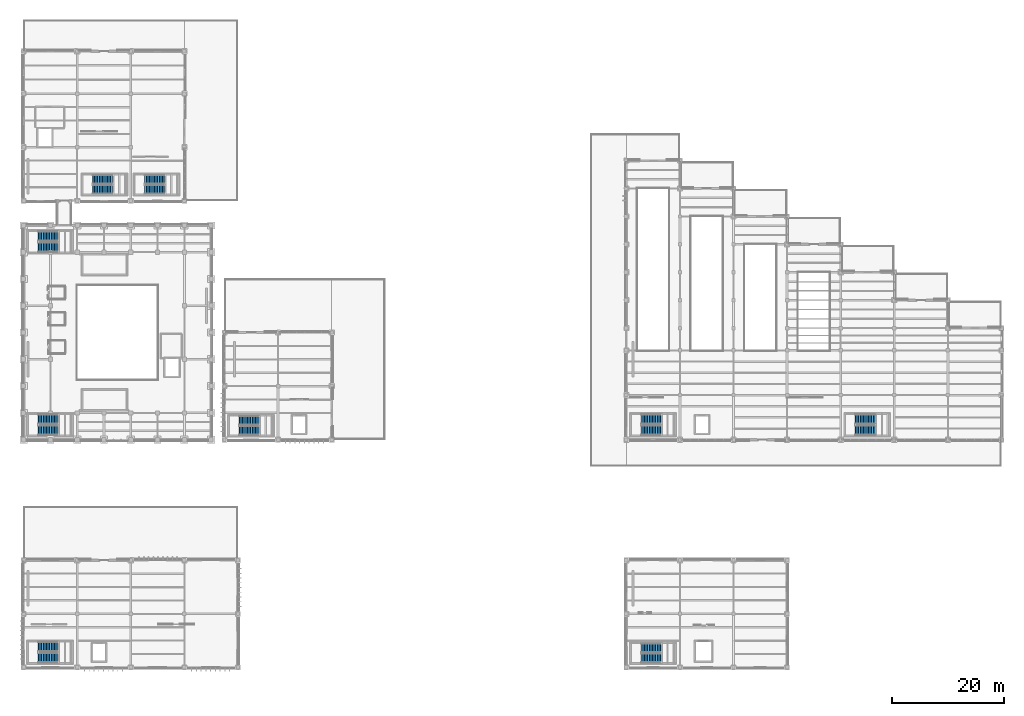
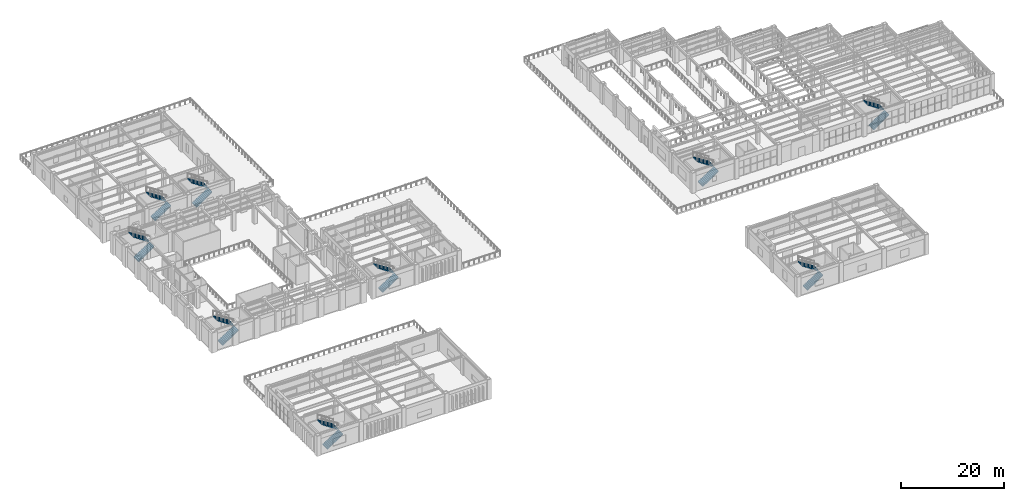
# One storey, part 64 of 83: 18 stair flights, 9 elements without a shape of their own.
"""IFC4 building model written with IfcOpenShell, lengths in metres."""

from ifc_helpers import new_model, si_unit, direction, frame, origin, place, context, subcontext, project, spatial, polyline, outline, extrude, material, type_object, element, aggregate, save


model = new_model("IFC4")

# Units and contexts
model_context = context("Model", 3, precision=1e-05, world=origin(), true_north=direction((0.0, 1.0)))
body_context = subcontext(model_context, "Body", "Model", "MODEL_VIEW")
ifc_project = project(units=[si_unit("LENGTHUNIT", "METRE"), si_unit("AREAUNIT", "SQUARE_METRE"), si_unit("VOLUMEUNIT", "CUBIC_METRE"), si_unit("PLANEANGLEUNIT", "RADIAN"), si_unit("MASSUNIT", "GRAM", prefix="KILO")], contexts=[model_context])

# Site, building, storey
site_placement = place(None, origin())
site = spatial("IfcSite", under=ifc_project, at=site_placement, CompositionType="ELEMENT")
building_placement = place(site_placement, origin())
building = spatial("IfcBuilding", under=site, at=building_placement, Name="Mavantir Sound Aquarium", CompositionType="ELEMENT")
storey_placement = place(building_placement, frame((0.0, 0.0, 10.5)))
storey = spatial("IfcBuildingStorey", under=building, at=storey_placement, Name="L02", CompositionType="ELEMENT", Elevation=10.5)

# Stair, stair flights
ifc_material = material(Name="Concrete C40/50", Category="concrete")
stair_type_1 = type_object("IfcStairType", Name="STR-1650-4800", PredefinedType="HALF_TURN_STAIR", material=ifc_material)
stair_1_placement = place(storey_placement, origin())
stair_1 = element("IfcStair", 1, at=stair_1_placement, inside=storey, type_object=stair_type_1, Name="L02 Protected exit stair ST5", PredefinedType="HALF_TURN_STAIR")
stair_flight_type_1 = type_object("IfcStairFlightType", Name="STF-1650-4800", PredefinedType="STRAIGHT", material=ifc_material)
stair_flight_1_placement = place(storey_placement, frame((12.39990234375, 85.625, 0.0), z_axis=(0.0, 0.0, 1.0), x_axis=(1.0, 0.0, 0.0)))
stair_flight_1 = element("IfcStairFlight", 2, at=stair_flight_1_placement, type_object=stair_flight_type_1, Name="ST5 flight 1", NumberOfRisers=13, NumberOfTreads=12, PredefinedType="STRAIGHT", RiserHeight=0.184615385, TreadLength=0.29, context=body_context, shape_type="SweptSolid", body=[
    extrude(outline(polyline([(-0.044921875, -0.139892578125), (-0.044921875, 0.0), (0.0, 0.0), (0.0, 0.1845703125), (0.2900390625, 0.1845703125), (0.2900390625, 0.369140625), (0.580078125, 0.369140625), (0.580078125, 0.553955078125), (0.8701171875, 0.553955078125), (0.8701171875, 0.738525390625), (1.159912109375, 0.738525390625), (1.159912109375, 0.923095703125), (1.449951171875, 0.923095703125), (1.449951171875, 1.107666015625), (1.739990234375, 1.107666015625), (1.739990234375, 1.292236328125), (2.030029296875, 1.292236328125), (2.030029296875, 1.476806640625), (2.320068359375, 1.476806640625), (2.320068359375, 1.66162109375), (2.610107421875, 1.66162109375), (2.610107421875, 1.84619140625), (2.89990234375, 1.84619140625), (2.89990234375, 2.03076171875), (3.18994140625, 2.03076171875), (3.18994140625, 2.21533203125), (3.47998046875, 2.21533203125), (3.47998046875, 2.39990234375), (3.52490234375, 2.39990234375), (3.52490234375, 2.080078125), (3.47998046875, 2.080078125), (0.212646484375, -0.139892578125), (-0.044921875, -0.139892578125)])), frame((0.0, 0.824951171875, 0.0), z_axis=(0.0, -1.0, 0.0), x_axis=(1.0, 0.0, 0.0)), (0.0, 0.0, 1.0), 1.64990234375),
])
stair_flight_2_placement = place(storey_placement, frame((15.8798828125, 87.425048828125, 2.39990234375), z_axis=(0.0, 0.0, 1.0), x_axis=(-1.0, 0.0, 0.0)))
stair_flight_2 = element("IfcStairFlight", 3, at=stair_flight_2_placement, type_object=stair_flight_type_1, Name="ST5 flight 2", NumberOfRisers=13, NumberOfTreads=12, PredefinedType="STRAIGHT", RiserHeight=0.184615385, TreadLength=0.29, context=body_context, shape_type="SweptSolid", body=[
    extrude(outline(polyline([(-0.044921875, -0.139892578125), (-0.044921875, 0.0), (0.0, 0.0), (0.0, 0.1845703125), (0.2900390625, 0.1845703125), (0.2900390625, 0.369140625), (0.580078125, 0.369140625), (0.580078125, 0.553955078125), (0.8701171875, 0.553955078125), (0.8701171875, 0.738525390625), (1.159912109375, 0.738525390625), (1.159912109375, 0.923095703125), (1.449951171875, 0.923095703125), (1.449951171875, 1.107666015625), (1.739990234375, 1.107666015625), (1.739990234375, 1.292236328125), (2.030029296875, 1.292236328125), (2.030029296875, 1.476806640625), (2.320068359375, 1.476806640625), (2.320068359375, 1.66162109375), (2.610107421875, 1.66162109375), (2.610107421875, 1.84619140625), (2.89990234375, 1.84619140625), (2.89990234375, 2.03076171875), (3.18994140625, 2.03076171875), (3.18994140625, 2.21533203125), (3.47998046875, 2.21533203125), (3.47998046875, 2.39990234375), (3.52490234375, 2.39990234375), (3.52490234375, 2.080078125), (3.47998046875, 2.080078125), (0.212646484375, -0.139892578125), (-0.044921875, -0.139892578125)])), frame((0.0, 0.824951171875, 0.0), z_axis=(0.0, -1.0, 0.0), x_axis=(1.0, 0.0, 0.0)), (0.0, 0.0, 1.0), 1.64990234375),
])
aggregate(stair_1, [stair_flight_1, stair_flight_2])

stair_2_placement = place(storey_placement, origin())
stair_2 = element("IfcStair", 4, at=stair_2_placement, inside=storey, type_object=stair_type_1, Name="L02 Protected exit stair ST7", PredefinedType="HALF_TURN_STAIR")
stair_flight_3_placement = place(storey_placement, frame((21.699951171875, 85.625, 0.0), z_axis=(0.0, 0.0, 1.0), x_axis=(1.0, 0.0, 0.0)))
stair_flight_3 = element("IfcStairFlight", 5, at=stair_flight_3_placement, type_object=stair_flight_type_1, Name="ST7 flight 1", NumberOfRisers=13, NumberOfTreads=12, PredefinedType="STRAIGHT", RiserHeight=0.184615385, TreadLength=0.29, context=body_context, shape_type="SweptSolid", body=[
    extrude(outline(polyline([(-0.044921875, -0.139892578125), (-0.044921875, 0.0), (0.0, 0.0), (0.0, 0.1845703125), (0.2900390625, 0.1845703125), (0.2900390625, 0.369140625), (0.580078125, 0.369140625), (0.580078125, 0.553955078125), (0.8701171875, 0.553955078125), (0.8701171875, 0.738525390625), (1.159912109375, 0.738525390625), (1.159912109375, 0.923095703125), (1.449951171875, 0.923095703125), (1.449951171875, 1.107666015625), (1.739990234375, 1.107666015625), (1.739990234375, 1.292236328125), (2.030029296875, 1.292236328125), (2.030029296875, 1.476806640625), (2.320068359375, 1.476806640625), (2.320068359375, 1.66162109375), (2.610107421875, 1.66162109375), (2.610107421875, 1.84619140625), (2.89990234375, 1.84619140625), (2.89990234375, 2.03076171875), (3.18994140625, 2.03076171875), (3.18994140625, 2.21533203125), (3.47998046875, 2.21533203125), (3.47998046875, 2.39990234375), (3.52490234375, 2.39990234375), (3.52490234375, 2.080078125), (3.47998046875, 2.080078125), (0.212646484375, -0.139892578125), (-0.044921875, -0.139892578125)])), frame((0.0, 0.824951171875, 0.0), z_axis=(0.0, -1.0, 0.0), x_axis=(1.0, 0.0, 0.0)), (0.0, 0.0, 1.0), 1.64990234375),
])
stair_flight_4_placement = place(storey_placement, frame((25.179931640625, 87.425048828125, 2.39990234375), z_axis=(0.0, 0.0, 1.0), x_axis=(-1.0, 0.0, 0.0)))
stair_flight_4 = element("IfcStairFlight", 6, at=stair_flight_4_placement, type_object=stair_flight_type_1, Name="ST7 flight 2", NumberOfRisers=13, NumberOfTreads=12, PredefinedType="STRAIGHT", RiserHeight=0.184615385, TreadLength=0.29, context=body_context, shape_type="SweptSolid", body=[
    extrude(outline(polyline([(-0.044921875, -0.139892578125), (-0.044921875, 0.0), (0.0, 0.0), (0.0, 0.1845703125), (0.2900390625, 0.1845703125), (0.2900390625, 0.369140625), (0.580078125, 0.369140625), (0.580078125, 0.553955078125), (0.8701171875, 0.553955078125), (0.8701171875, 0.738525390625), (1.159912109375, 0.738525390625), (1.159912109375, 0.923095703125), (1.449951171875, 0.923095703125), (1.449951171875, 1.107666015625), (1.739990234375, 1.107666015625), (1.739990234375, 1.292236328125), (2.030029296875, 1.292236328125), (2.030029296875, 1.476806640625), (2.320068359375, 1.476806640625), (2.320068359375, 1.66162109375), (2.610107421875, 1.66162109375), (2.610107421875, 1.84619140625), (2.89990234375, 1.84619140625), (2.89990234375, 2.03076171875), (3.18994140625, 2.03076171875), (3.18994140625, 2.21533203125), (3.47998046875, 2.21533203125), (3.47998046875, 2.39990234375), (3.52490234375, 2.39990234375), (3.52490234375, 2.080078125), (3.47998046875, 2.080078125), (0.212646484375, -0.139892578125), (-0.044921875, -0.139892578125)])), frame((0.0, 0.824951171875, 0.0), z_axis=(0.0, -1.0, 0.0), x_axis=(1.0, 0.0, 0.0)), (0.0, 0.0, 1.0), 1.64990234375),
])
aggregate(stair_2, [stair_flight_3, stair_flight_4])

stair_3_placement = place(storey_placement, origin())
stair_3 = element("IfcStair", 7, at=stair_3_placement, inside=storey, type_object=stair_type_1, Name="L02 Protected exit stair ST6", PredefinedType="HALF_TURN_STAIR")
stair_flight_5_placement = place(storey_placement, frame((110.64990234375, 1.675048828125, 0.0), z_axis=(0.0, 0.0, 1.0), x_axis=(1.0, 0.0, 0.0)))
stair_flight_5 = element("IfcStairFlight", 8, at=stair_flight_5_placement, type_object=stair_flight_type_1, Name="ST6 flight 1", NumberOfRisers=13, NumberOfTreads=12, PredefinedType="STRAIGHT", RiserHeight=0.184615385, TreadLength=0.29, context=body_context, shape_type="SweptSolid", body=[
    extrude(outline(polyline([(-0.044921875, -0.139892578125), (-0.044921875, 0.0), (0.0, 0.0), (0.0, 0.1845703125), (0.2900390625, 0.1845703125), (0.2900390625, 0.369140625), (0.580078125, 0.369140625), (0.580078125, 0.553955078125), (0.8701171875, 0.553955078125), (0.8701171875, 0.738525390625), (1.159912109375, 0.738525390625), (1.159912109375, 0.923095703125), (1.449951171875, 0.923095703125), (1.449951171875, 1.107666015625), (1.739990234375, 1.107666015625), (1.739990234375, 1.292236328125), (2.030029296875, 1.292236328125), (2.030029296875, 1.476806640625), (2.320068359375, 1.476806640625), (2.320068359375, 1.66162109375), (2.610107421875, 1.66162109375), (2.610107421875, 1.84619140625), (2.89990234375, 1.84619140625), (2.89990234375, 2.03076171875), (3.18994140625, 2.03076171875), (3.18994140625, 2.21533203125), (3.47998046875, 2.21533203125), (3.47998046875, 2.39990234375), (3.52490234375, 2.39990234375), (3.52490234375, 2.080078125), (3.47998046875, 2.080078125), (0.212646484375, -0.139892578125), (-0.044921875, -0.139892578125)])), frame((0.0, 0.824951171875, 0.0), z_axis=(0.0, -1.0, 0.0), x_axis=(1.0, 0.0, 0.0)), (0.0, 0.0, 1.0), 1.64990234375),
])
stair_flight_6_placement = place(storey_placement, frame((114.1298828125, 3.47509765625, 2.39990234375), z_axis=(0.0, 0.0, 1.0), x_axis=(-1.0, 0.0, 0.0)))
stair_flight_6 = element("IfcStairFlight", 9, at=stair_flight_6_placement, type_object=stair_flight_type_1, Name="ST6 flight 2", NumberOfRisers=13, NumberOfTreads=12, PredefinedType="STRAIGHT", RiserHeight=0.184615385, TreadLength=0.29, context=body_context, shape_type="SweptSolid", body=[
    extrude(outline(polyline([(-0.044921875, -0.139892578125), (-0.044921875, 0.0), (0.0, 0.0), (0.0, 0.1845703125), (0.2900390625, 0.1845703125), (0.2900390625, 0.369140625), (0.580078125, 0.369140625), (0.580078125, 0.553955078125), (0.8701171875, 0.553955078125), (0.8701171875, 0.738525390625), (1.159912109375, 0.738525390625), (1.159912109375, 0.923095703125), (1.449951171875, 0.923095703125), (1.449951171875, 1.107666015625), (1.739990234375, 1.107666015625), (1.739990234375, 1.292236328125), (2.030029296875, 1.292236328125), (2.030029296875, 1.476806640625), (2.320068359375, 1.476806640625), (2.320068359375, 1.66162109375), (2.610107421875, 1.66162109375), (2.610107421875, 1.84619140625), (2.89990234375, 1.84619140625), (2.89990234375, 2.03076171875), (3.18994140625, 2.03076171875), (3.18994140625, 2.21533203125), (3.47998046875, 2.21533203125), (3.47998046875, 2.39990234375), (3.52490234375, 2.39990234375), (3.52490234375, 2.080078125), (3.47998046875, 2.080078125), (0.212646484375, -0.139892578125), (-0.044921875, -0.139892578125)])), frame((0.0, 0.824951171875, 0.0), z_axis=(0.0, -1.0, 0.0), x_axis=(1.0, 0.0, 0.0)), (0.0, 0.0, 1.0), 1.64990234375),
])
aggregate(stair_3, [stair_flight_5, stair_flight_6])

stair_4_placement = place(storey_placement, origin())
stair_4 = element("IfcStair", 10, at=stair_4_placement, inside=storey, type_object=stair_type_1, Name="L02 Protected exit stair ST8", PredefinedType="HALF_TURN_STAIR")
stair_flight_7_placement = place(storey_placement, frame((38.64990234375, 42.425048828125, 0.0), z_axis=(0.0, 0.0, 1.0), x_axis=(1.0, 0.0, 0.0)))
stair_flight_7 = element("IfcStairFlight", 11, at=stair_flight_7_placement, type_object=stair_flight_type_1, Name="ST8 flight 1", NumberOfRisers=13, NumberOfTreads=12, PredefinedType="STRAIGHT", RiserHeight=0.184615385, TreadLength=0.29, context=body_context, shape_type="SweptSolid", body=[
    extrude(outline(polyline([(-0.044921875, -0.139892578125), (-0.044921875, 0.0), (0.0, 0.0), (0.0, 0.1845703125), (0.2900390625, 0.1845703125), (0.2900390625, 0.369140625), (0.580078125, 0.369140625), (0.580078125, 0.553955078125), (0.8701171875, 0.553955078125), (0.8701171875, 0.738525390625), (1.159912109375, 0.738525390625), (1.159912109375, 0.923095703125), (1.449951171875, 0.923095703125), (1.449951171875, 1.107666015625), (1.739990234375, 1.107666015625), (1.739990234375, 1.292236328125), (2.030029296875, 1.292236328125), (2.030029296875, 1.476806640625), (2.320068359375, 1.476806640625), (2.320068359375, 1.66162109375), (2.610107421875, 1.66162109375), (2.610107421875, 1.84619140625), (2.89990234375, 1.84619140625), (2.89990234375, 2.03076171875), (3.18994140625, 2.03076171875), (3.18994140625, 2.21533203125), (3.47998046875, 2.21533203125), (3.47998046875, 2.39990234375), (3.52490234375, 2.39990234375), (3.52490234375, 2.080078125), (3.47998046875, 2.080078125), (0.212646484375, -0.139892578125), (-0.044921875, -0.139892578125)])), frame((0.0, 0.824951171875, 0.0), z_axis=(0.0, -1.0, 0.0), x_axis=(1.0, 0.0, 0.0)), (0.0, 0.0, 1.0), 1.64990234375),
])
stair_flight_8_placement = place(storey_placement, frame((42.1298828125, 44.22509765625, 2.39990234375), z_axis=(0.0, 0.0, 1.0), x_axis=(-1.0, 0.0, 0.0)))
stair_flight_8 = element("IfcStairFlight", 12, at=stair_flight_8_placement, type_object=stair_flight_type_1, Name="ST8 flight 2", NumberOfRisers=13, NumberOfTreads=12, PredefinedType="STRAIGHT", RiserHeight=0.184615385, TreadLength=0.29, context=body_context, shape_type="SweptSolid", body=[
    extrude(outline(polyline([(-0.044921875, -0.139892578125), (-0.044921875, 0.0), (0.0, 0.0), (0.0, 0.1845703125), (0.2900390625, 0.1845703125), (0.2900390625, 0.369140625), (0.580078125, 0.369140625), (0.580078125, 0.553955078125), (0.8701171875, 0.553955078125), (0.8701171875, 0.738525390625), (1.159912109375, 0.738525390625), (1.159912109375, 0.923095703125), (1.449951171875, 0.923095703125), (1.449951171875, 1.107666015625), (1.739990234375, 1.107666015625), (1.739990234375, 1.292236328125), (2.030029296875, 1.292236328125), (2.030029296875, 1.476806640625), (2.320068359375, 1.476806640625), (2.320068359375, 1.66162109375), (2.610107421875, 1.66162109375), (2.610107421875, 1.84619140625), (2.89990234375, 1.84619140625), (2.89990234375, 2.03076171875), (3.18994140625, 2.03076171875), (3.18994140625, 2.21533203125), (3.47998046875, 2.21533203125), (3.47998046875, 2.39990234375), (3.52490234375, 2.39990234375), (3.52490234375, 2.080078125), (3.47998046875, 2.080078125), (0.212646484375, -0.139892578125), (-0.044921875, -0.139892578125)])), frame((0.0, 0.824951171875, 0.0), z_axis=(0.0, -1.0, 0.0), x_axis=(1.0, 0.0, 0.0)), (0.0, 0.0, 1.0), 1.64990234375),
])
aggregate(stair_4, [stair_flight_7, stair_flight_8])

stair_type_2 = type_object("IfcStairType", Name="STR-1800-4800", PredefinedType="HALF_TURN_STAIR", material=ifc_material)
stair_5_placement = place(storey_placement, origin())
stair_5 = element("IfcStair", 13, at=stair_5_placement, inside=storey, type_object=stair_type_2, Name="L02 Protected exit stair ST1", PredefinedType="HALF_TURN_STAIR")
stair_flight_type_2 = type_object("IfcStairFlightType", Name="STF-1800-4800", PredefinedType="STRAIGHT", material=ifc_material)
stair_flight_9_placement = place(storey_placement, frame((2.64990234375, 42.5, 0.0), z_axis=(0.0, 0.0, 1.0), x_axis=(1.0, 0.0, 0.0)))
stair_flight_9 = element("IfcStairFlight", 14, at=stair_flight_9_placement, type_object=stair_flight_type_2, Name="ST1 flight 1", NumberOfRisers=13, NumberOfTreads=12, PredefinedType="STRAIGHT", RiserHeight=0.184615385, TreadLength=0.29, context=body_context, shape_type="SweptSolid", body=[
    extrude(outline(polyline([(-0.044921875, -0.139892578125), (-0.044921875, 0.0), (0.0, 0.0), (0.0, 0.1845703125), (0.2900390625, 0.1845703125), (0.2900390625, 0.369140625), (0.580078125, 0.369140625), (0.580078125, 0.553955078125), (0.8701171875, 0.553955078125), (0.8701171875, 0.738525390625), (1.159912109375, 0.738525390625), (1.159912109375, 0.923095703125), (1.449951171875, 0.923095703125), (1.449951171875, 1.107666015625), (1.739990234375, 1.107666015625), (1.739990234375, 1.292236328125), (2.030029296875, 1.292236328125), (2.030029296875, 1.476806640625), (2.320068359375, 1.476806640625), (2.320068359375, 1.66162109375), (2.610107421875, 1.66162109375), (2.610107421875, 1.84619140625), (2.89990234375, 1.84619140625), (2.89990234375, 2.03076171875), (3.18994140625, 2.03076171875), (3.18994140625, 2.21533203125), (3.47998046875, 2.21533203125), (3.47998046875, 2.39990234375), (3.52490234375, 2.39990234375), (3.52490234375, 2.080078125), (3.47998046875, 2.080078125), (0.212646484375, -0.139892578125), (-0.044921875, -0.139892578125)])), frame((0.0, 0.89990234375, 0.0), z_axis=(0.0, -1.0, 0.0), x_axis=(1.0, 0.0, 0.0)), (0.0, 0.0, 1.0), 1.800048828125),
])
stair_flight_10_placement = place(storey_placement, frame((6.1298828125, 44.449951171875, 2.39990234375), z_axis=(0.0, 0.0, 1.0), x_axis=(-1.0, 0.0, 0.0)))
stair_flight_10 = element("IfcStairFlight", 15, at=stair_flight_10_placement, type_object=stair_flight_type_2, Name="ST1 flight 2", NumberOfRisers=13, NumberOfTreads=12, PredefinedType="STRAIGHT", RiserHeight=0.184615385, TreadLength=0.29, context=body_context, shape_type="SweptSolid", body=[
    extrude(outline(polyline([(-0.044921875, -0.139892578125), (-0.044921875, 0.0), (0.0, 0.0), (0.0, 0.1845703125), (0.2900390625, 0.1845703125), (0.2900390625, 0.369140625), (0.580078125, 0.369140625), (0.580078125, 0.553955078125), (0.8701171875, 0.553955078125), (0.8701171875, 0.738525390625), (1.159912109375, 0.738525390625), (1.159912109375, 0.923095703125), (1.449951171875, 0.923095703125), (1.449951171875, 1.107666015625), (1.739990234375, 1.107666015625), (1.739990234375, 1.292236328125), (2.030029296875, 1.292236328125), (2.030029296875, 1.476806640625), (2.320068359375, 1.476806640625), (2.320068359375, 1.66162109375), (2.610107421875, 1.66162109375), (2.610107421875, 1.84619140625), (2.89990234375, 1.84619140625), (2.89990234375, 2.03076171875), (3.18994140625, 2.03076171875), (3.18994140625, 2.21533203125), (3.47998046875, 2.21533203125), (3.47998046875, 2.39990234375), (3.52490234375, 2.39990234375), (3.52490234375, 2.080078125), (3.47998046875, 2.080078125), (0.212646484375, -0.139892578125), (-0.044921875, -0.139892578125)])), frame((0.0, 0.89990234375, 0.0), z_axis=(0.0, -1.0, 0.0), x_axis=(1.0, 0.0, 0.0)), (0.0, 0.0, 1.0), 1.800048828125),
])
aggregate(stair_5, [stair_flight_9, stair_flight_10])

stair_6_placement = place(storey_placement, origin())
stair_6 = element("IfcStair", 16, at=stair_6_placement, inside=storey, type_object=stair_type_2, Name="L02 Protected exit stair ST2", PredefinedType="HALF_TURN_STAIR")
stair_flight_11_placement = place(storey_placement, frame((2.64990234375, 75.300048828125, 0.0), z_axis=(0.0, 0.0, 1.0), x_axis=(1.0, 0.0, 0.0)))
stair_flight_11 = element("IfcStairFlight", 17, at=stair_flight_11_placement, type_object=stair_flight_type_2, Name="ST2 flight 1", NumberOfRisers=13, NumberOfTreads=12, PredefinedType="STRAIGHT", RiserHeight=0.184615385, TreadLength=0.29, context=body_context, shape_type="SweptSolid", body=[
    extrude(outline(polyline([(-0.044921875, -0.139892578125), (-0.044921875, 0.0), (0.0, 0.0), (0.0, 0.1845703125), (0.2900390625, 0.1845703125), (0.2900390625, 0.369140625), (0.580078125, 0.369140625), (0.580078125, 0.553955078125), (0.8701171875, 0.553955078125), (0.8701171875, 0.738525390625), (1.159912109375, 0.738525390625), (1.159912109375, 0.923095703125), (1.449951171875, 0.923095703125), (1.449951171875, 1.107666015625), (1.739990234375, 1.107666015625), (1.739990234375, 1.292236328125), (2.030029296875, 1.292236328125), (2.030029296875, 1.476806640625), (2.320068359375, 1.476806640625), (2.320068359375, 1.66162109375), (2.610107421875, 1.66162109375), (2.610107421875, 1.84619140625), (2.89990234375, 1.84619140625), (2.89990234375, 2.03076171875), (3.18994140625, 2.03076171875), (3.18994140625, 2.21533203125), (3.47998046875, 2.21533203125), (3.47998046875, 2.39990234375), (3.52490234375, 2.39990234375), (3.52490234375, 2.080078125), (3.47998046875, 2.080078125), (0.212646484375, -0.139892578125), (-0.044921875, -0.139892578125)])), frame((0.0, 0.89990234375, 0.0), z_axis=(0.0, -1.0, 0.0), x_axis=(1.0, 0.0, 0.0)), (0.0, 0.0, 1.0), 1.800048828125),
])
stair_flight_12_placement = place(storey_placement, frame((6.1298828125, 77.25, 2.39990234375), z_axis=(0.0, 0.0, 1.0), x_axis=(-1.0, 0.0, 0.0)))
stair_flight_12 = element("IfcStairFlight", 18, at=stair_flight_12_placement, type_object=stair_flight_type_2, Name="ST2 flight 2", NumberOfRisers=13, NumberOfTreads=12, PredefinedType="STRAIGHT", RiserHeight=0.184615385, TreadLength=0.29, context=body_context, shape_type="SweptSolid", body=[
    extrude(outline(polyline([(-0.044921875, -0.139892578125), (-0.044921875, 0.0), (0.0, 0.0), (0.0, 0.1845703125), (0.2900390625, 0.1845703125), (0.2900390625, 0.369140625), (0.580078125, 0.369140625), (0.580078125, 0.553955078125), (0.8701171875, 0.553955078125), (0.8701171875, 0.738525390625), (1.159912109375, 0.738525390625), (1.159912109375, 0.923095703125), (1.449951171875, 0.923095703125), (1.449951171875, 1.107666015625), (1.739990234375, 1.107666015625), (1.739990234375, 1.292236328125), (2.030029296875, 1.292236328125), (2.030029296875, 1.476806640625), (2.320068359375, 1.476806640625), (2.320068359375, 1.66162109375), (2.610107421875, 1.66162109375), (2.610107421875, 1.84619140625), (2.89990234375, 1.84619140625), (2.89990234375, 2.03076171875), (3.18994140625, 2.03076171875), (3.18994140625, 2.21533203125), (3.47998046875, 2.21533203125), (3.47998046875, 2.39990234375), (3.52490234375, 2.39990234375), (3.52490234375, 2.080078125), (3.47998046875, 2.080078125), (0.212646484375, -0.139892578125), (-0.044921875, -0.139892578125)])), frame((0.0, 0.89990234375, 0.0), z_axis=(0.0, -1.0, 0.0), x_axis=(1.0, 0.0, 0.0)), (0.0, 0.0, 1.0), 1.800048828125),
])
aggregate(stair_6, [stair_flight_11, stair_flight_12])

stair_7_placement = place(storey_placement, origin())
stair_7 = element("IfcStair", 19, at=stair_7_placement, inside=storey, type_object=stair_type_2, Name="L02 Protected exit stair ST3", PredefinedType="HALF_TURN_STAIR")
stair_flight_13_placement = place(storey_placement, frame((2.64990234375, 1.75, 0.0), z_axis=(0.0, 0.0, 1.0), x_axis=(1.0, 0.0, 0.0)))
stair_flight_13 = element("IfcStairFlight", 20, at=stair_flight_13_placement, type_object=stair_flight_type_2, Name="ST3 flight 1", NumberOfRisers=13, NumberOfTreads=12, PredefinedType="STRAIGHT", RiserHeight=0.184615385, TreadLength=0.29, context=body_context, shape_type="SweptSolid", body=[
    extrude(outline(polyline([(-0.044921875, -0.139892578125), (-0.044921875, 0.0), (0.0, 0.0), (0.0, 0.1845703125), (0.2900390625, 0.1845703125), (0.2900390625, 0.369140625), (0.580078125, 0.369140625), (0.580078125, 0.553955078125), (0.8701171875, 0.553955078125), (0.8701171875, 0.738525390625), (1.159912109375, 0.738525390625), (1.159912109375, 0.923095703125), (1.449951171875, 0.923095703125), (1.449951171875, 1.107666015625), (1.739990234375, 1.107666015625), (1.739990234375, 1.292236328125), (2.030029296875, 1.292236328125), (2.030029296875, 1.476806640625), (2.320068359375, 1.476806640625), (2.320068359375, 1.66162109375), (2.610107421875, 1.66162109375), (2.610107421875, 1.84619140625), (2.89990234375, 1.84619140625), (2.89990234375, 2.03076171875), (3.18994140625, 2.03076171875), (3.18994140625, 2.21533203125), (3.47998046875, 2.21533203125), (3.47998046875, 2.39990234375), (3.52490234375, 2.39990234375), (3.52490234375, 2.080078125), (3.47998046875, 2.080078125), (0.212646484375, -0.139892578125), (-0.044921875, -0.139892578125)])), frame((0.0, 0.89990234375, 0.0), z_axis=(0.0, -1.0, 0.0), x_axis=(1.0, 0.0, 0.0)), (0.0, 0.0, 1.0), 1.800048828125),
])
stair_flight_14_placement = place(storey_placement, frame((6.1298828125, 3.699951171875, 2.39990234375), z_axis=(0.0, 0.0, 1.0), x_axis=(-1.0, 0.0, 0.0)))
stair_flight_14 = element("IfcStairFlight", 21, at=stair_flight_14_placement, type_object=stair_flight_type_2, Name="ST3 flight 2", NumberOfRisers=13, NumberOfTreads=12, PredefinedType="STRAIGHT", RiserHeight=0.184615385, TreadLength=0.29, context=body_context, shape_type="SweptSolid", body=[
    extrude(outline(polyline([(-0.044921875, -0.139892578125), (-0.044921875, 0.0), (0.0, 0.0), (0.0, 0.1845703125), (0.2900390625, 0.1845703125), (0.2900390625, 0.369140625), (0.580078125, 0.369140625), (0.580078125, 0.553955078125), (0.8701171875, 0.553955078125), (0.8701171875, 0.738525390625), (1.159912109375, 0.738525390625), (1.159912109375, 0.923095703125), (1.449951171875, 0.923095703125), (1.449951171875, 1.107666015625), (1.739990234375, 1.107666015625), (1.739990234375, 1.292236328125), (2.030029296875, 1.292236328125), (2.030029296875, 1.476806640625), (2.320068359375, 1.476806640625), (2.320068359375, 1.66162109375), (2.610107421875, 1.66162109375), (2.610107421875, 1.84619140625), (2.89990234375, 1.84619140625), (2.89990234375, 2.03076171875), (3.18994140625, 2.03076171875), (3.18994140625, 2.21533203125), (3.47998046875, 2.21533203125), (3.47998046875, 2.39990234375), (3.52490234375, 2.39990234375), (3.52490234375, 2.080078125), (3.47998046875, 2.080078125), (0.212646484375, -0.139892578125), (-0.044921875, -0.139892578125)])), frame((0.0, 0.89990234375, 0.0), z_axis=(0.0, -1.0, 0.0), x_axis=(1.0, 0.0, 0.0)), (0.0, 0.0, 1.0), 1.800048828125),
])
aggregate(stair_7, [stair_flight_13, stair_flight_14])

stair_8_placement = place(storey_placement, origin())
stair_8 = element("IfcStair", 22, at=stair_8_placement, inside=storey, type_object=stair_type_2, Name="L02 Protected exit stair ST4", PredefinedType="HALF_TURN_STAIR")
stair_flight_15_placement = place(storey_placement, frame((110.64990234375, 42.5, 0.0), z_axis=(0.0, 0.0, 1.0), x_axis=(1.0, 0.0, 0.0)))
stair_flight_15 = element("IfcStairFlight", 23, at=stair_flight_15_placement, type_object=stair_flight_type_2, Name="ST4 flight 1", NumberOfRisers=13, NumberOfTreads=12, PredefinedType="STRAIGHT", RiserHeight=0.184615385, TreadLength=0.29, context=body_context, shape_type="SweptSolid", body=[
    extrude(outline(polyline([(-0.044921875, -0.139892578125), (-0.044921875, 0.0), (0.0, 0.0), (0.0, 0.1845703125), (0.2900390625, 0.1845703125), (0.2900390625, 0.369140625), (0.580078125, 0.369140625), (0.580078125, 0.553955078125), (0.8701171875, 0.553955078125), (0.8701171875, 0.738525390625), (1.159912109375, 0.738525390625), (1.159912109375, 0.923095703125), (1.449951171875, 0.923095703125), (1.449951171875, 1.107666015625), (1.739990234375, 1.107666015625), (1.739990234375, 1.292236328125), (2.030029296875, 1.292236328125), (2.030029296875, 1.476806640625), (2.320068359375, 1.476806640625), (2.320068359375, 1.66162109375), (2.610107421875, 1.66162109375), (2.610107421875, 1.84619140625), (2.89990234375, 1.84619140625), (2.89990234375, 2.03076171875), (3.18994140625, 2.03076171875), (3.18994140625, 2.21533203125), (3.47998046875, 2.21533203125), (3.47998046875, 2.39990234375), (3.52490234375, 2.39990234375), (3.52490234375, 2.080078125), (3.47998046875, 2.080078125), (0.212646484375, -0.139892578125), (-0.044921875, -0.139892578125)])), frame((0.0, 0.89990234375, 0.0), z_axis=(0.0, -1.0, 0.0), x_axis=(1.0, 0.0, 0.0)), (0.0, 0.0, 1.0), 1.800048828125),
])
stair_flight_16_placement = place(storey_placement, frame((114.1298828125, 44.449951171875, 2.39990234375), z_axis=(0.0, 0.0, 1.0), x_axis=(-1.0, 0.0, 0.0)))
stair_flight_16 = element("IfcStairFlight", 24, at=stair_flight_16_placement, type_object=stair_flight_type_2, Name="ST4 flight 2", NumberOfRisers=13, NumberOfTreads=12, PredefinedType="STRAIGHT", RiserHeight=0.184615385, TreadLength=0.29, context=body_context, shape_type="SweptSolid", body=[
    extrude(outline(polyline([(-0.044921875, -0.139892578125), (-0.044921875, 0.0), (0.0, 0.0), (0.0, 0.1845703125), (0.2900390625, 0.1845703125), (0.2900390625, 0.369140625), (0.580078125, 0.369140625), (0.580078125, 0.553955078125), (0.8701171875, 0.553955078125), (0.8701171875, 0.738525390625), (1.159912109375, 0.738525390625), (1.159912109375, 0.923095703125), (1.449951171875, 0.923095703125), (1.449951171875, 1.107666015625), (1.739990234375, 1.107666015625), (1.739990234375, 1.292236328125), (2.030029296875, 1.292236328125), (2.030029296875, 1.476806640625), (2.320068359375, 1.476806640625), (2.320068359375, 1.66162109375), (2.610107421875, 1.66162109375), (2.610107421875, 1.84619140625), (2.89990234375, 1.84619140625), (2.89990234375, 2.03076171875), (3.18994140625, 2.03076171875), (3.18994140625, 2.21533203125), (3.47998046875, 2.21533203125), (3.47998046875, 2.39990234375), (3.52490234375, 2.39990234375), (3.52490234375, 2.080078125), (3.47998046875, 2.080078125), (0.212646484375, -0.139892578125), (-0.044921875, -0.139892578125)])), frame((0.0, 0.89990234375, 0.0), z_axis=(0.0, -1.0, 0.0), x_axis=(1.0, 0.0, 0.0)), (0.0, 0.0, 1.0), 1.800048828125),
])
aggregate(stair_8, [stair_flight_15, stair_flight_16])

stair_9_placement = place(storey_placement, origin())
stair_9 = element("IfcStair", 25, at=stair_9_placement, inside=storey, type_object=stair_type_2, Name="L02 Protected exit stair ST12", PredefinedType="HALF_TURN_STAIR")
stair_flight_17_placement = place(storey_placement, frame((149.050048828125, 42.5, 0.0), z_axis=(0.0, 0.0, 1.0), x_axis=(1.0, 0.0, 0.0)))
stair_flight_17 = element("IfcStairFlight", 26, at=stair_flight_17_placement, type_object=stair_flight_type_2, Name="ST12 flight 1", NumberOfRisers=13, NumberOfTreads=12, PredefinedType="STRAIGHT", RiserHeight=0.184615385, TreadLength=0.29, context=body_context, shape_type="SweptSolid", body=[
    extrude(outline(polyline([(-0.044921875, -0.139892578125), (-0.044921875, 0.0), (0.0, 0.0), (0.0, 0.1845703125), (0.2900390625, 0.1845703125), (0.2900390625, 0.369140625), (0.580078125, 0.369140625), (0.580078125, 0.553955078125), (0.8701171875, 0.553955078125), (0.8701171875, 0.738525390625), (1.159912109375, 0.738525390625), (1.159912109375, 0.923095703125), (1.449951171875, 0.923095703125), (1.449951171875, 1.107666015625), (1.739990234375, 1.107666015625), (1.739990234375, 1.292236328125), (2.030029296875, 1.292236328125), (2.030029296875, 1.476806640625), (2.320068359375, 1.476806640625), (2.320068359375, 1.66162109375), (2.610107421875, 1.66162109375), (2.610107421875, 1.84619140625), (2.89990234375, 1.84619140625), (2.89990234375, 2.03076171875), (3.18994140625, 2.03076171875), (3.18994140625, 2.21533203125), (3.47998046875, 2.21533203125), (3.47998046875, 2.39990234375), (3.52490234375, 2.39990234375), (3.52490234375, 2.080078125), (3.47998046875, 2.080078125), (0.212646484375, -0.139892578125), (-0.044921875, -0.139892578125)])), frame((0.0, 0.89990234375, 0.0), z_axis=(0.0, -1.0, 0.0), x_axis=(1.0, 0.0, 0.0)), (0.0, 0.0, 1.0), 1.800048828125),
])
stair_flight_18_placement = place(storey_placement, frame((152.530029296875, 44.449951171875, 2.39990234375), z_axis=(0.0, 0.0, 1.0), x_axis=(-1.0, 0.0, 0.0)))
stair_flight_18 = element("IfcStairFlight", 27, at=stair_flight_18_placement, type_object=stair_flight_type_2, Name="ST12 flight 2", NumberOfRisers=13, NumberOfTreads=12, PredefinedType="STRAIGHT", RiserHeight=0.184615385, TreadLength=0.29, context=body_context, shape_type="SweptSolid", body=[
    extrude(outline(polyline([(-0.044921875, -0.139892578125), (-0.044921875, 0.0), (0.0, 0.0), (0.0, 0.1845703125), (0.2900390625, 0.1845703125), (0.2900390625, 0.369140625), (0.580078125, 0.369140625), (0.580078125, 0.553955078125), (0.8701171875, 0.553955078125), (0.8701171875, 0.738525390625), (1.159912109375, 0.738525390625), (1.159912109375, 0.923095703125), (1.449951171875, 0.923095703125), (1.449951171875, 1.107666015625), (1.739990234375, 1.107666015625), (1.739990234375, 1.292236328125), (2.030029296875, 1.292236328125), (2.030029296875, 1.476806640625), (2.320068359375, 1.476806640625), (2.320068359375, 1.66162109375), (2.610107421875, 1.66162109375), (2.610107421875, 1.84619140625), (2.89990234375, 1.84619140625), (2.89990234375, 2.03076171875), (3.18994140625, 2.03076171875), (3.18994140625, 2.21533203125), (3.47998046875, 2.21533203125), (3.47998046875, 2.39990234375), (3.52490234375, 2.39990234375), (3.52490234375, 2.080078125), (3.47998046875, 2.080078125), (0.212646484375, -0.139892578125), (-0.044921875, -0.139892578125)])), frame((0.0, 0.89990234375, 0.0), z_axis=(0.0, -1.0, 0.0), x_axis=(1.0, 0.0, 0.0)), (0.0, 0.0, 1.0), 1.800048828125),
])
aggregate(stair_9, [stair_flight_17, stair_flight_18])

save(model, "model.ifc")
